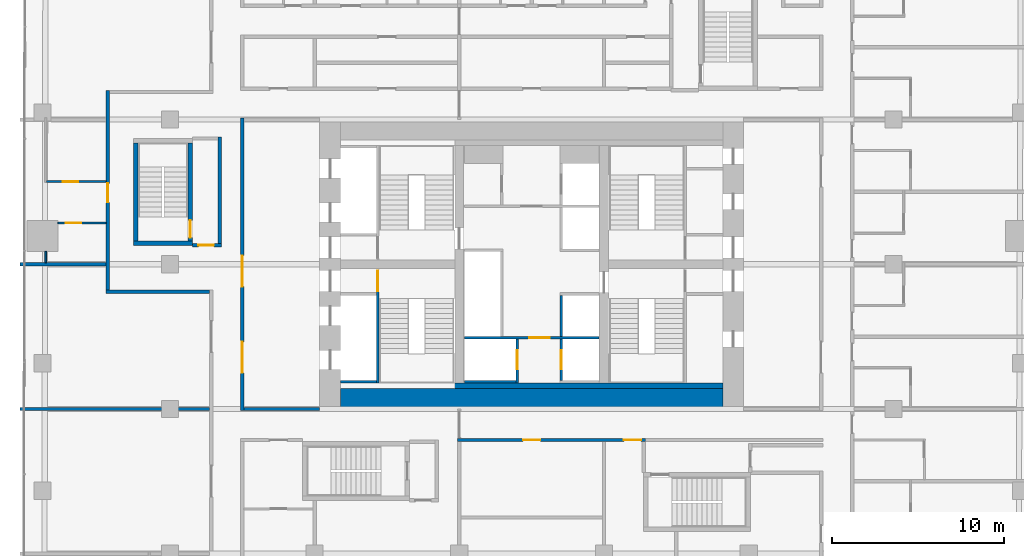
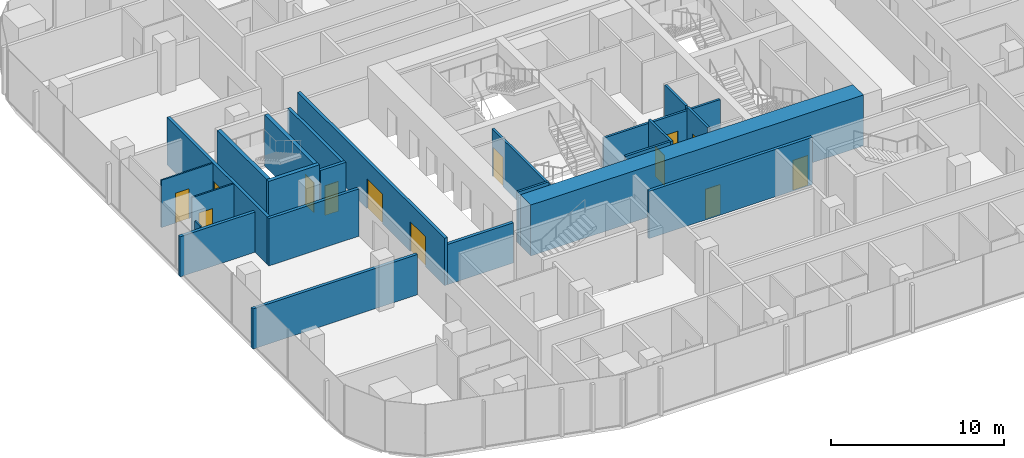
# One storey, part 17 of 26: 24 walls, 13 doors, 13 openings.
"""IFC4 building model written with IfcOpenShell, lengths in metres."""

from ifc_helpers import new_model, si_unit, direction, frame, frame_2d, origin, place, context, subcontext, project, spatial, rectangle, extrude, material, layer, layer_set, type_object, element, fill, save


model = new_model("IFC4")

# Units and contexts
model_context = context("Model", 3, precision=1e-05, world=origin(), true_north=direction((0.0, 1.0)))
body_context = subcontext(model_context, "Body", "Model", "MODEL_VIEW")
ifc_project = project(units=[si_unit("LENGTHUNIT", "METRE"), si_unit("AREAUNIT", "SQUARE_METRE"), si_unit("VOLUMEUNIT", "CUBIC_METRE"), si_unit("PLANEANGLEUNIT", "RADIAN"), si_unit("MASSUNIT", "GRAM", prefix="KILO")], contexts=[model_context])

# Site, building, storey
site_placement = place(None, origin())
site = spatial("IfcSite", under=ifc_project, at=site_placement, CompositionType="ELEMENT")
building_placement = place(site_placement, origin())
building = spatial("IfcBuilding", under=site, at=building_placement, Name="Marenta Gate Hotel Tower", CompositionType="ELEMENT")
storey_placement = place(building_placement, frame((0.0, 0.0, 79.699951171875)))
storey = spatial("IfcBuildingStorey", under=building, at=storey_placement, Name="L18", CompositionType="ELEMENT", Elevation=79.699951171875)

# Wall, openings, doors
ifc_material_1 = material(Name="Concrete blockwork", Category="masonry")
ifc_layer_1 = layer(ifc_material_1, 0.199951171875)
ifc_layer_set_1 = layer_set([ifc_layer_1], Name="Concrete blockwork")
wall_type_1 = type_object("IfcWallType", Name="Core boundary wall 200 REI 180", PredefinedType="PARTITIONING", material=ifc_layer_set_1)
wall_1_placement = place(storey_placement, frame((-16.800048828125, -0.10009765625, 0.0), z_axis=(0.0, 0.0, 1.0), x_axis=(0.0, 1.0, 0.0)))
wall_1 = element("IfcWall", 1, at=wall_1_placement, inside=storey, type_object=wall_type_1, Name="L18-CP-BW-W", PredefinedType="PARTITIONING", context=body_context, shape_type="SweptSolid", body=[
    extrude(rectangle(XDim=17.0, YDim=0.199951171875, at=frame_2d((8.5, 0.0))), origin(), (0.0, 0.0, 1.0), 3.340087890625),
])
opening_1_placement = place(wall_1_placement, frame((2.199951171875, 0.0, 0.0)))
opening_1 = element("IfcOpeningElement", 2, at=opening_1_placement, cuts=wall_1, Name="Opening ED-Wa-B", PredefinedType="OPENING", context=body_context, shape_type="SweptSolid", body=[
    extrude(rectangle(XDim=1.800048828125, YDim=2.10009765625, at=frame_2d((0.89990234375, 1.050048828125))), frame((0.0, 0.10009765625, 0.0), z_axis=(0.0, -1.0, 0.0), x_axis=(1.0, 0.0, 0.0)), (0.0, 0.0, 1.0), 0.199951171875),
])
opening_2_placement = place(wall_1_placement, frame((7.199951171875, 0.0, 0.0)))
opening_2 = element("IfcOpeningElement", 3, at=opening_2_placement, cuts=wall_1, Name="Opening ED-Wb-B", PredefinedType="OPENING", context=body_context, shape_type="SweptSolid", body=[
    extrude(rectangle(XDim=1.800048828125, YDim=2.10009765625, at=frame_2d((0.89990234375, 1.050048828125))), frame((0.0, 0.10009765625, 0.0), z_axis=(0.0, -1.0, 0.0), x_axis=(1.0, 0.0, 0.0)), (0.0, 0.0, 1.0), 0.199951171875),
])
ifc_material_2 = material(Name="Steel", Category="steel")
door_type_1 = type_object("IfcDoorType", Name="Core lobby entrance door 1800x2100 EI 60", OperationType="DOUBLE_DOOR_SINGLE_SWING", PredefinedType="DOOR", material=ifc_material_2)
door_1_placement = place(opening_1_placement, origin())
door_1 = element("IfcDoor", 4, at=door_1_placement, inside=storey, type_object=door_type_1, Name="ED-Wa-B", OperationType="DOUBLE_DOOR_SINGLE_SWING", OverallHeight=2.10009765625, OverallWidth=1.800048828125, PredefinedType="DOOR", context=body_context, shape_type="SweptSolid", body=[
    extrude(rectangle(XDim=1.800048828125, YDim=2.10009765625, at=frame_2d((0.89990234375, 1.050048828125))), frame((0.0, 0.02490234375, 0.0), z_axis=(0.0, -1.0, 0.0), x_axis=(1.0, 0.0, 0.0)), (0.0, 0.0, 1.0), 0.050048828125),
])
fill(opening_1, door_1)
door_2_placement = place(opening_2_placement, origin())
door_2 = element("IfcDoor", 5, at=door_2_placement, inside=storey, type_object=door_type_1, Name="ED-Wb-B", OperationType="DOUBLE_DOOR_SINGLE_SWING", OverallHeight=2.10009765625, OverallWidth=1.800048828125, PredefinedType="DOOR", context=body_context, shape_type="SweptSolid", body=[
    extrude(rectangle(XDim=1.800048828125, YDim=2.10009765625, at=frame_2d((0.89990234375, 1.050048828125))), frame((0.0, 0.02490234375, 0.0), z_axis=(0.0, -1.0, 0.0), x_axis=(1.0, 0.0, 0.0)), (0.0, 0.0, 1.0), 0.050048828125),
])
fill(opening_2, door_2)

# Walls
wall_2_placement = place(storey_placement, frame((-16.699951171875, 0.0, 0.0), z_axis=(0.0, 0.0, 1.0), x_axis=(1.0, 0.0, 0.0)))
element("IfcWall", 6, at=wall_2_placement, inside=storey, type_object=wall_type_1, Name="L18-CP-EW-WS", PredefinedType="PARTITIONING", context=body_context, shape_type="SweptSolid", body=[
    extrude(rectangle(XDim=4.39990234375, YDim=0.199951171875, at=frame_2d((2.199951171875, 0.0))), origin(), (0.0, 0.0, 1.0), 2.840087890625),
])
ifc_material_3 = material(Name="Concrete C40", Category="concrete")
ifc_layer_2 = layer(ifc_material_3, 0.300048828125)
ifc_layer_set_2 = layer_set([ifc_layer_2], Name="Concrete C40")
wall_type_2 = type_object("IfcWallType", Name="Core lining wall 300 REI 180", PredefinedType="PARTITIONING", material=ifc_layer_set_2)
wall_3_placement = place(storey_placement, frame((-11.10009765625, 1.35009765625, 0.0), z_axis=(0.0, 0.0, 1.0), x_axis=(1.0, 0.0, 0.0)))
element("IfcWall", 7, at=wall_3_placement, inside=storey, type_object=wall_type_2, Name="L18-CP-LN-S", PredefinedType="PARTITIONING", context=body_context, shape_type="SweptSolid", body=[
    extrude(rectangle(XDim=22.2001953125, YDim=0.300048828125, at=frame_2d((11.10009765625, 0.0))), origin(), (0.0, 0.0, 1.0), 3.340087890625),
])

# Wall, opening, door
ifc_material_4 = material(Name="Concrete blockwork", Category="masonry")
ifc_layer_3 = layer(ifc_material_4, 0.14990234375)
ifc_layer_set_3 = layer_set([ifc_layer_3], Name="Concrete blockwork")
wall_type_3 = type_object("IfcWallType", Name="Core lobby partition 150 REI 180", PredefinedType="PARTITIONING", material=ifc_layer_set_3)
wall_4_placement = place(storey_placement, frame((-3.89990234375, 4.125, 0.0), z_axis=(0.0, 0.0, 1.0), x_axis=(1.0, 0.0, 0.0)))
wall_4 = element("IfcWall", 8, at=wall_4_placement, inside=storey, type_object=wall_type_3, Name="L18-CP-CW-S", PredefinedType="PARTITIONING", context=body_context, shape_type="SweptSolid", body=[
    extrude(rectangle(XDim=7.7998046875, YDim=0.14990234375, at=frame_2d((3.89990234375, 0.0))), origin(), (0.0, 0.0, 1.0), 3.340087890625),
])
opening_3_placement = place(wall_4_placement, frame((3.75, 0.0, 0.0)))
opening_3 = element("IfcOpeningElement", 9, at=opening_3_placement, cuts=wall_4, Name="Opening FD-FFS", PredefinedType="OPENING", context=body_context, shape_type="SweptSolid", body=[
    extrude(rectangle(XDim=1.199951171875, YDim=2.10009765625, at=frame_2d((0.60009765625, 1.050048828125))), frame((0.0, 0.074951171875, 0.0), z_axis=(0.0, -1.0, 0.0), x_axis=(1.0, 0.0, 0.0)), (0.0, 0.0, 1.0), 0.14990234375),
])
ifc_material_5 = material(Name="Steel", Category="steel")
door_type_2 = type_object("IfcDoorType", Name="Core lobby door 1200x2100 FD60", OperationType="SINGLE_SWING_LEFT", PredefinedType="DOOR", material=ifc_material_5)
door_3_placement = place(opening_3_placement, origin())
door_3 = element("IfcDoor", 10, at=door_3_placement, inside=storey, type_object=door_type_2, Name="FD-FFS", OperationType="SINGLE_SWING_LEFT", OverallHeight=2.10009765625, OverallWidth=1.199951171875, PredefinedType="DOOR", context=body_context, shape_type="SweptSolid", body=[
    extrude(rectangle(XDim=1.199951171875, YDim=2.10009765625, at=frame_2d((0.60009765625, 1.050048828125))), frame((0.0, 0.02490234375, 0.0), z_axis=(0.0, -1.0, 0.0), x_axis=(1.0, 0.0, 0.0)), (0.0, 0.0, 1.0), 0.050048828125),
])
fill(opening_3, door_3)

# Wall
ifc_material_6 = material(Name="Concrete C40", Category="concrete")
ifc_layer_4 = layer(ifc_material_6, 0.14990234375)
ifc_layer_set_4 = layer_set([ifc_layer_4], Name="Concrete C40")
wall_type_4 = type_object("IfcWallType", Name="Core shaft wall 150 REI 180", PredefinedType="SHEAR", material=ifc_layer_set_4)
wall_5_placement = place(storey_placement, frame((-11.10009765625, 1.574951171875, 0.0), z_axis=(0.0, 0.0, 1.0), x_axis=(1.0, 0.0, 0.0)))
element("IfcWall", 11, at=wall_5_placement, inside=storey, type_object=wall_type_4, Name="L18-SHF-SW-WS-5", PredefinedType="SHEAR", context=body_context, shape_type="SweptSolid", body=[
    extrude(rectangle(XDim=2.10009765625, YDim=0.14990234375, at=frame_2d((1.050048828125, 0.0))), origin(), (0.0, 0.0, 1.0), 3.60009765625),
])

# Wall, opening, door
wall_6_placement = place(storey_placement, frame((-0.824951171875, 1.5, 0.0), z_axis=(0.0, 0.0, 1.0), x_axis=(0.0, 1.0, 0.0)))
wall_6 = element("IfcWall", 12, at=wall_6_placement, inside=storey, type_object=wall_type_4, Name="L18-SHF-CW-W-ff", PredefinedType="SHEAR", context=body_context, shape_type="SweptSolid", body=[
    extrude(rectangle(XDim=2.550048828125, YDim=0.14990234375, at=frame_2d((1.27490234375, 0.0))), origin(), (0.0, 0.0, 1.0), 3.60009765625),
])
opening_4_placement = place(wall_6_placement, frame((0.800048828125, 0.0, 0.0)))
opening_4 = element("IfcOpeningElement", 13, at=opening_4_placement, cuts=wall_6, Name="Opening LD-FF1", PredefinedType="OPENING", context=body_context, shape_type="SweptSolid", body=[
    extrude(rectangle(XDim=1.10009765625, YDim=2.10009765625, at=frame_2d((0.550048828125, 1.050048828125))), frame((0.0, 0.074951171875, 0.0), z_axis=(0.0, -1.0, 0.0), x_axis=(1.0, 0.0, 0.0)), (0.0, 0.0, 1.0), 0.14990234375),
])
ifc_material_7 = material(Name="Steel", Category="steel")
door_type_3 = type_object("IfcDoorType", Name="Core lift landing door 1100x2100 E 60", OperationType="SLIDING_TO_LEFT", PredefinedType="DOOR", material=ifc_material_7)
door_4_placement = place(opening_4_placement, origin())
door_4 = element("IfcDoor", 14, at=door_4_placement, inside=storey, type_object=door_type_3, Name="LD-FF1", OperationType="SLIDING_TO_LEFT", OverallHeight=2.10009765625, OverallWidth=1.10009765625, PredefinedType="DOOR", context=body_context, shape_type="SweptSolid", body=[
    extrude(rectangle(XDim=1.10009765625, YDim=2.10009765625, at=frame_2d((0.550048828125, 1.050048828125))), frame((0.0, 0.02490234375, 0.0), z_axis=(0.0, -1.0, 0.0), x_axis=(1.0, 0.0, 0.0)), (0.0, 0.0, 1.0), 0.050048828125),
])
fill(opening_4, door_4)

# Wall
wall_7_placement = place(storey_placement, frame((-3.89990234375, 1.574951171875, 0.0), z_axis=(0.0, 0.0, 1.0), x_axis=(1.0, 0.0, 0.0)))
element("IfcWall", 15, at=wall_7_placement, inside=storey, type_object=wall_type_4, Name="L18-SHF-CW-W-ffs", PredefinedType="SHEAR", context=body_context, shape_type="SweptSolid", body=[
    extrude(rectangle(XDim=3.0, YDim=0.14990234375, at=frame_2d((1.5, 0.0))), origin(), (0.0, 0.0, 1.0), 3.60009765625),
])

# Wall, opening, door
wall_8_placement = place(storey_placement, frame((1.72509765625, 1.64990234375, 0.0), z_axis=(0.0, 0.0, 1.0), x_axis=(0.0, 1.0, 0.0)))
wall_8 = element("IfcWall", 16, at=wall_8_placement, inside=storey, type_object=wall_type_4, Name="L18-SHF-CE-S-ls", PredefinedType="SHEAR", context=body_context, shape_type="SweptSolid", body=[
    extrude(rectangle(XDim=2.400146484375, YDim=0.14990234375, at=frame_2d((1.2001953125, 0.0))), origin(), (0.0, 0.0, 1.0), 3.60009765625),
])
opening_5_placement = place(wall_8_placement, frame((0.64990234375, 0.0, 0.0)))
opening_5 = element("IfcOpeningElement", 17, at=opening_5_placement, cuts=wall_8, Name="Opening LD-SV1", PredefinedType="OPENING", context=body_context, shape_type="SweptSolid", body=[
    extrude(rectangle(XDim=1.10009765625, YDim=2.10009765625, at=frame_2d((0.550048828125, 1.050048828125))), frame((0.0, 0.074951171875, 0.0), z_axis=(0.0, -1.0, 0.0), x_axis=(1.0, 0.0, 0.0)), (0.0, 0.0, 1.0), 0.14990234375),
])
door_5_placement = place(opening_5_placement, origin())
door_5 = element("IfcDoor", 18, at=door_5_placement, inside=storey, type_object=door_type_3, Name="LD-SV1", OperationType="SLIDING_TO_LEFT", OverallHeight=2.10009765625, OverallWidth=1.10009765625, PredefinedType="DOOR", context=body_context, shape_type="SweptSolid", body=[
    extrude(rectangle(XDim=1.10009765625, YDim=2.10009765625, at=frame_2d((0.550048828125, 1.050048828125))), frame((0.0, 0.02490234375, 0.0), z_axis=(0.0, -1.0, 0.0), x_axis=(1.0, 0.0, 0.0)), (0.0, 0.0, 1.0), 0.050048828125),
])
fill(opening_5, door_5)

# Wall
wall_9_placement = place(storey_placement, frame((1.72509765625, 4.199951171875, 0.0), z_axis=(0.0, 0.0, 1.0), x_axis=(0.0, 1.0, 0.0)))
element("IfcWall", 19, at=wall_9_placement, inside=storey, type_object=wall_type_4, Name="L18-SHF-CE-front-1", PredefinedType="SHEAR", context=body_context, shape_type="SweptSolid", body=[
    extrude(rectangle(XDim=2.400146484375, YDim=0.14990234375, at=frame_2d((1.2001953125, 0.0))), origin(), (0.0, 0.0, 1.0), 3.60009765625),
])

# Wall, opening, door
ifc_material_8 = material(Name="Concrete C40", Category="concrete")
ifc_layer_5 = layer(ifc_material_8, 0.14990234375)
ifc_layer_set_5 = layer_set([ifc_layer_5], Name="Concrete C40")
wall_type_5 = type_object("IfcWallType", Name="Core stair enclosure wall 150 REI 180", PredefinedType="SHEAR", material=ifc_layer_set_5)
wall_10_placement = place(storey_placement, frame((-8.925048828125, 1.5, 0.0), z_axis=(0.0, 0.0, 1.0), x_axis=(0.0, 1.0, 0.0)))
wall_10 = element("IfcWall", 20, at=wall_10_placement, inside=storey, type_object=wall_type_5, Name="L18-SHF-SW-WS-3", PredefinedType="SHEAR", context=body_context, shape_type="SweptSolid", body=[
    extrude(rectangle(XDim=6.60009765625, YDim=0.14990234375, at=frame_2d((3.300048828125, 0.0))), origin(), (0.0, 0.0, 1.0), 3.340087890625),
])
opening_6_placement = place(wall_10_placement, frame((5.324951171875, 0.0, 0.0)))
opening_6 = element("IfcOpeningElement", 21, at=opening_6_placement, cuts=wall_10, Name="Opening SD-WS", PredefinedType="OPENING", context=body_context, shape_type="SweptSolid", body=[
    extrude(rectangle(XDim=1.199951171875, YDim=2.10009765625, at=frame_2d((0.60009765625, 1.050048828125))), frame((0.0, 0.074951171875, 0.0), z_axis=(0.0, -1.0, 0.0), x_axis=(1.0, 0.0, 0.0)), (0.0, 0.0, 1.0), 0.14990234375),
])
ifc_material_9 = material(Name="Steel", Category="steel")
door_type_4 = type_object("IfcDoorType", Name="Core stair door 1200x2100 FD60", OperationType="SINGLE_SWING_LEFT", PredefinedType="DOOR", material=ifc_material_9)
door_6_placement = place(opening_6_placement, origin())
door_6 = element("IfcDoor", 22, at=door_6_placement, inside=storey, type_object=door_type_4, Name="SD-WS", OperationType="SINGLE_SWING_LEFT", OverallHeight=2.10009765625, OverallWidth=1.199951171875, PredefinedType="DOOR", context=body_context, shape_type="SweptSolid", body=[
    extrude(rectangle(XDim=1.199951171875, YDim=2.10009765625, at=frame_2d((0.60009765625, 1.050048828125))), frame((0.0, 0.02490234375, 0.0), z_axis=(0.0, -1.0, 0.0), x_axis=(1.0, 0.0, 0.0)), (0.0, 0.0, 1.0), 0.050048828125),
])
fill(opening_6, door_6)

# Walls
ifc_material_10 = material(Name="Concrete C80", Category="concrete")
ifc_layer_6 = layer(ifc_material_10, 1.199951171875)
ifc_layer_set_6 = layer_set([ifc_layer_6], Name="Concrete C80")
wall_type_6 = type_object("IfcWallType", Name="Core wall 1200 C80", PredefinedType="SHEAR", material=ifc_layer_set_6)
wall_11_placement = place(storey_placement, frame((-11.10009765625, 0.60009765625, 0.0), z_axis=(0.0, 0.0, 1.0), x_axis=(1.0, 0.0, 0.0)))
element("IfcWall", 23, at=wall_11_placement, inside=storey, type_object=wall_type_6, Name="L18-CORE-S", PredefinedType="SHEAR", context=body_context, shape_type="SweptSolid", body=[
    extrude(rectangle(XDim=22.2001953125, YDim=1.199951171875, at=frame_2d((11.10009765625, 0.0))), origin(), (0.0, 0.0, 1.0), 3.60009765625),
])
ifc_material_11 = material(Name="Concrete C40", Category="concrete")
ifc_layer_7 = layer(ifc_material_11, 0.25)
ifc_layer_set_7 = layer_set([ifc_layer_7], Name="Concrete C40")
wall_type_7 = type_object("IfcWallType", Name="Remote stair enclosure wall 250 REI 180", PredefinedType="SHEAR", material=ifc_layer_set_7)
wall_12_placement = place(storey_placement, frame((-23.10009765625, 9.625, 0.10009765625), z_axis=(0.0, 0.0, 1.0), x_axis=(1.0, 0.0, 0.0)))
element("IfcWall", 24, at=wall_12_placement, inside=storey, type_object=wall_type_7, Name="L18-RS-Z1-3-W1", PredefinedType="SHEAR", context=body_context, shape_type="SweptSolid", body=[
    extrude(rectangle(XDim=3.400146484375, YDim=0.25, at=frame_2d((1.7001953125, 0.0))), origin(), (0.0, 0.0, 1.0), 3.599853515625),
])
wall_13_placement = place(storey_placement, frame((-22.97509765625, 9.75, 0.10009765625), z_axis=(0.0, 0.0, 1.0), x_axis=(0.0, 1.0, 0.0)))
element("IfcWall", 25, at=wall_13_placement, inside=storey, type_object=wall_type_7, Name="L18-RS-Z1-3-W3", PredefinedType="SHEAR", context=body_context, shape_type="SweptSolid", body=[
    extrude(rectangle(XDim=5.699951171875, YDim=0.25, at=frame_2d((2.85009765625, 0.0))), origin(), (0.0, 0.0, 1.0), 3.599853515625),
])

# Wall, opening, door
wall_14_placement = place(storey_placement, frame((-19.824951171875, 9.75, 0.10009765625), z_axis=(0.0, 0.0, 1.0), x_axis=(0.0, 1.0, 0.0)))
wall_14 = element("IfcWall", 26, at=wall_14_placement, inside=storey, type_object=wall_type_7, Name="L18-RS-Z1-3-W4", PredefinedType="SHEAR", context=body_context, shape_type="SweptSolid", body=[
    extrude(rectangle(XDim=5.699951171875, YDim=0.25, at=frame_2d((2.85009765625, 0.0))), origin(), (0.0, 0.0, 1.0), 3.599853515625),
])
opening_7_placement = place(wall_14_placement, frame((0.199951171875, 0.0, 0.0)))
opening_7 = element("IfcOpeningElement", 27, at=opening_7_placement, cuts=wall_14, Name="Opening VD", PredefinedType="OPENING", context=body_context, shape_type="SweptSolid", body=[
    extrude(rectangle(XDim=1.0, YDim=2.10009765625, at=frame_2d((0.5, 1.050048828125))), frame((0.0, 0.125, 0.0), z_axis=(0.0, -1.0, 0.0), x_axis=(1.0, 0.0, 0.0)), (0.0, 0.0, 1.0), 0.25),
])
ifc_material_12 = material(Name="Steel", Category="steel")
door_type_5 = type_object("IfcDoorType", Name="Stair vestibule door 1000x2100 FD60", OperationType="SINGLE_SWING_LEFT", PredefinedType="DOOR", material=ifc_material_12)
door_7_placement = place(opening_7_placement, origin())
door_7 = element("IfcDoor", 28, at=door_7_placement, inside=storey, type_object=door_type_5, Name="VD", OperationType="SINGLE_SWING_LEFT", OverallHeight=2.10009765625, OverallWidth=1.0, PredefinedType="DOOR", context=body_context, shape_type="SweptSolid", body=[
    extrude(rectangle(XDim=1.0, YDim=2.10009765625, at=frame_2d((0.5, 1.050048828125))), frame((0.0, 0.02490234375, 0.0), z_axis=(0.0, -1.0, 0.0), x_axis=(1.0, 0.0, 0.0)), (0.0, 0.0, 1.0), 0.050048828125),
])
fill(opening_7, door_7)

# Wall, openings, doors
ifc_material_13 = material(Name="Gypsum board on steel stud", Category="steel")
ifc_layer_8 = layer(ifc_material_13, 0.199951171875)
ifc_layer_set_8 = layer_set([ifc_layer_8], Name="Gypsum board on steel stud")
wall_type_8 = type_object("IfcWallType", Name="Room corridor wall 200 EI 60", PredefinedType="PARTITIONING", material=ifc_layer_set_8)
wall_15_placement = place(storey_placement, frame((-4.300048828125, -1.800048828125, 0.0), z_axis=(0.0, 0.0, 1.0), x_axis=(1.0, 0.0, 0.0)))
wall_15 = element("IfcWall", 29, at=wall_15_placement, inside=storey, type_object=wall_type_8, Name="L18-PTN-W068", PredefinedType="PARTITIONING", context=body_context, shape_type="SweptSolid", body=[
    extrude(rectangle(XDim=10.900146484375, YDim=0.199951171875, at=frame_2d((5.4501953125, 0.0))), origin(), (0.0, 0.0, 1.0), 3.340087890625),
])
opening_8_placement = place(wall_15_placement, frame((9.64990234375, 0.0, 0.0)))
opening_8 = element("IfcOpeningElement", 30, at=opening_8_placement, cuts=wall_15, Name="Opening G07-06", PredefinedType="OPENING", context=body_context, shape_type="SweptSolid", body=[
    extrude(rectangle(XDim=1.0, YDim=2.10009765625, at=frame_2d((0.5, 1.050048828125))), frame((0.0, 0.10009765625, 0.0), z_axis=(0.0, -1.0, 0.0), x_axis=(1.0, 0.0, 0.0)), (0.0, 0.0, 1.0), 0.199951171875),
])
opening_9_placement = place(wall_15_placement, frame((3.800048828125, 0.0, 0.0)))
opening_9 = element("IfcOpeningElement", 31, at=opening_9_placement, cuts=wall_15, Name="Opening G07-71", PredefinedType="OPENING", context=body_context, shape_type="SweptSolid", body=[
    extrude(rectangle(XDim=1.0, YDim=2.10009765625, at=frame_2d((0.5, 1.050048828125))), frame((0.0, 0.10009765625, 0.0), z_axis=(0.0, -1.0, 0.0), x_axis=(1.0, 0.0, 0.0)), (0.0, 0.0, 1.0), 0.199951171875),
])
ifc_material_14 = material(Name="Timber door leaf", Category="wood")
door_type_6 = type_object("IfcDoorType", Name="Room amenity door 1000x2100 EI 30", OperationType="NOTDEFINED", PredefinedType="DOOR", material=ifc_material_14)
door_8_placement = place(opening_8_placement, origin())
door_8 = element("IfcDoor", 32, at=door_8_placement, inside=storey, type_object=door_type_6, Name="L18-PD-D006", OperationType="SINGLE_SWING_LEFT", OverallHeight=2.10009765625, OverallWidth=1.0, PredefinedType="DOOR", context=body_context, shape_type="SweptSolid", body=[
    extrude(rectangle(XDim=1.0, YDim=2.10009765625, at=frame_2d((0.5, 1.050048828125))), frame((0.0, 0.02490234375, 0.0), z_axis=(0.0, -1.0, 0.0), x_axis=(1.0, 0.0, 0.0)), (0.0, 0.0, 1.0), 0.050048828125),
])
fill(opening_8, door_8)
door_9_placement = place(opening_9_placement, origin())
door_9 = element("IfcDoor", 33, at=door_9_placement, inside=storey, type_object=door_type_6, Name="L18-PD-D071", OperationType="SINGLE_SWING_LEFT", OverallHeight=2.10009765625, OverallWidth=1.0, PredefinedType="DOOR", context=body_context, shape_type="SweptSolid", body=[
    extrude(rectangle(XDim=1.0, YDim=2.10009765625, at=frame_2d((0.5, 1.050048828125))), frame((0.0, 0.02490234375, 0.0), z_axis=(0.0, -1.0, 0.0), x_axis=(1.0, 0.0, 0.0)), (0.0, 0.0, 1.0), 0.050048828125),
])
fill(opening_9, door_9)

# Wall
wall_16_placement = place(storey_placement, frame((-24.699951171875, 6.800048828125, 0.0), z_axis=(0.0, 0.0, 1.0), x_axis=(1.0, 0.0, 0.0)))
element("IfcWall", 34, at=wall_16_placement, inside=storey, type_object=wall_type_8, Name="L18-PTN-W087", PredefinedType="PARTITIONING", context=body_context, shape_type="SweptSolid", body=[
    extrude(rectangle(XDim=6.0, YDim=0.199951171875, at=frame_2d((3.0, 0.0))), origin(), (0.0, 0.0, 1.0), 3.340087890625),
])

# Wall, opening, door
wall_17_placement = place(storey_placement, frame((-24.60009765625, 6.89990234375, 0.0), z_axis=(0.0, 0.0, 1.0), x_axis=(0.0, 1.0, 0.0)))
wall_17 = element("IfcWall", 35, at=wall_17_placement, inside=storey, type_object=wall_type_8, Name="L18-PTN-W133", PredefinedType="PARTITIONING", context=body_context, shape_type="SweptSolid", body=[
    extrude(rectangle(XDim=11.60009765625, YDim=0.199951171875, at=frame_2d((5.800048828125, 0.0))), origin(), (0.0, 0.0, 1.0), 3.340087890625),
])
opening_10_placement = place(wall_17_placement, frame((5.10009765625, 0.0, 0.0)))
opening_10 = element("IfcOpeningElement", 36, at=opening_10_placement, cuts=wall_17, Name="Opening G07-56", PredefinedType="OPENING", context=body_context, shape_type="SweptSolid", body=[
    extrude(rectangle(XDim=1.10009765625, YDim=2.10009765625, at=frame_2d((0.550048828125, 1.050048828125))), frame((0.0, 0.10009765625, 0.0), z_axis=(0.0, -1.0, 0.0), x_axis=(1.0, 0.0, 0.0)), (0.0, 0.0, 1.0), 0.199951171875),
])
ifc_material_15 = material(Name="Timber door leaf", Category="wood")
door_type_7 = type_object("IfcDoorType", Name="Guest room door 1100x2100 EI 30", OperationType="NOTDEFINED", PredefinedType="DOOR", material=ifc_material_15)
door_10_placement = place(opening_10_placement, origin())
door_10 = element("IfcDoor", 37, at=door_10_placement, inside=storey, type_object=door_type_7, Name="L18-PD-D056", OperationType="SINGLE_SWING_RIGHT", OverallHeight=2.10009765625, OverallWidth=1.10009765625, PredefinedType="DOOR", context=body_context, shape_type="SweptSolid", body=[
    extrude(rectangle(XDim=1.10009765625, YDim=2.10009765625, at=frame_2d((0.550048828125, 1.050048828125))), frame((0.0, 0.02490234375, 0.0), z_axis=(0.0, -1.0, 0.0), x_axis=(1.0, 0.0, 0.0)), (0.0, 0.0, 1.0), 0.050048828125),
])
fill(opening_10, door_10)

ifc_material_16 = material(Name="Concrete blockwork", Category="masonry")
ifc_layer_9 = layer(ifc_material_16, 0.199951171875)
ifc_layer_set_9 = layer_set([ifc_layer_9], Name="Concrete blockwork")
wall_type_9 = type_object("IfcWallType", Name="Room corridor wall 200 REI 180", PredefinedType="PARTITIONING", material=ifc_layer_set_9)
wall_18_placement = place(storey_placement, frame((-19.699951171875, 9.5, 0.0), z_axis=(0.0, 0.0, 1.0), x_axis=(1.0, 0.0, 0.0)))
wall_18 = element("IfcWall", 38, at=wall_18_placement, inside=storey, type_object=wall_type_9, Name="L18-PTN-W092", PredefinedType="PARTITIONING", context=body_context, shape_type="SweptSolid", body=[
    extrude(rectangle(XDim=1.699951171875, YDim=0.199951171875, at=frame_2d((0.85009765625, 0.0))), origin(), (0.0, 0.0, 1.0), 3.340087890625),
])
opening_11_placement = place(wall_18_placement, frame((0.35009765625, 0.0, 0.0)))
opening_11 = element("IfcOpeningElement", 39, at=opening_11_placement, cuts=wall_18, Name="Opening G07-66", PredefinedType="OPENING", context=body_context, shape_type="SweptSolid", body=[
    extrude(rectangle(XDim=0.89990234375, YDim=2.10009765625, at=frame_2d((0.449951171875, 1.050048828125))), frame((0.0, 0.10009765625, 0.0), z_axis=(0.0, -1.0, 0.0), x_axis=(1.0, 0.0, 0.0)), (0.0, 0.0, 1.0), 0.199951171875),
])
ifc_material_17 = material(Name="Hollow steel door set", Category="steel")
door_type_8 = type_object("IfcDoorType", Name="Stair vestibule door 900x2100 EI 60", OperationType="NOTDEFINED", PredefinedType="DOOR", material=ifc_material_17)
door_11_placement = place(opening_11_placement, origin())
door_11 = element("IfcDoor", 40, at=door_11_placement, inside=storey, type_object=door_type_8, Name="L18-PD-D066", OperationType="SINGLE_SWING_RIGHT", OverallHeight=2.10009765625, OverallWidth=0.89990234375, PredefinedType="DOOR", context=body_context, shape_type="SweptSolid", body=[
    extrude(rectangle(XDim=0.89990234375, YDim=2.10009765625, at=frame_2d((0.449951171875, 1.050048828125))), frame((0.0, 0.02490234375, 0.0), z_axis=(0.0, -1.0, 0.0), x_axis=(1.0, 0.0, 0.0)), (0.0, 0.0, 1.0), 0.050048828125),
])
fill(opening_11, door_11)

# Wall
wall_19_placement = place(storey_placement, frame((-18.10009765625, 9.60009765625, 0.0), z_axis=(0.0, 0.0, 1.0), x_axis=(0.0, 1.0, 0.0)))
element("IfcWall", 41, at=wall_19_placement, inside=storey, type_object=wall_type_9, Name="L18-PTN-W113", PredefinedType="PARTITIONING", context=body_context, shape_type="SweptSolid", body=[
    extrude(rectangle(XDim=6.199951171875, YDim=0.199951171875, at=frame_2d((3.10009765625, 0.0))), origin(), (0.0, 0.0, 1.0), 3.340087890625),
])

# Wall, opening, door
ifc_material_18 = material(Name="Gypsum board on steel stud", Category="steel")
ifc_layer_10 = layer(ifc_material_18, 0.10009765625)
ifc_layer_set_10 = layer_set([ifc_layer_10], Name="Gypsum board on steel stud")
wall_type_10 = type_object("IfcWallType", Name="Room partition 100", PredefinedType="PARTITIONING", material=ifc_layer_set_10)
wall_20_placement = place(storey_placement, frame((-27.5, 10.800048828125, 0.0), z_axis=(0.0, 0.0, 1.0), x_axis=(1.0, 0.0, 0.0)))
wall_20 = element("IfcWall", 42, at=wall_20_placement, inside=storey, type_object=wall_type_10, Name="L18-PTN-W094", PredefinedType="PARTITIONING", context=body_context, shape_type="SweptSolid", body=[
    extrude(rectangle(XDim=2.800048828125, YDim=0.10009765625, at=frame_2d((1.39990234375, 0.0))), origin(), (0.0, 0.0, 1.0), 3.340087890625),
])
opening_12_placement = place(wall_20_placement, frame((0.469970703125, 0.0, 0.0)))
opening_12 = element("IfcOpeningElement", 43, at=opening_12_placement, cuts=wall_20, Name="Opening G07-58", PredefinedType="OPENING", context=body_context, shape_type="SweptSolid", body=[
    extrude(rectangle(XDim=0.89990234375, YDim=2.10009765625, at=frame_2d((0.449951171875, 1.050048828125))), frame((0.0, 0.050048828125, 0.0), z_axis=(0.0, -1.0, 0.0), x_axis=(1.0, 0.0, 0.0)), (0.0, 0.0, 1.0), 0.10009765625),
])
ifc_material_19 = material(Name="Timber door leaf", Category="wood")
door_type_9 = type_object("IfcDoorType", Name="Room inner door 900x2100", OperationType="NOTDEFINED", PredefinedType="DOOR", material=ifc_material_19)
door_12_placement = place(opening_12_placement, origin())
door_12 = element("IfcDoor", 44, at=door_12_placement, inside=storey, type_object=door_type_9, Name="L18-PD-D058", OperationType="SINGLE_SWING_RIGHT", OverallHeight=2.10009765625, OverallWidth=0.89990234375, PredefinedType="DOOR", context=body_context, shape_type="SweptSolid", body=[
    extrude(rectangle(XDim=0.89990234375, YDim=2.10009765625, at=frame_2d((0.449951171875, 1.050048828125))), frame((0.0, 0.02490234375, 0.0), z_axis=(0.0, -1.0, 0.0), x_axis=(1.0, 0.0, 0.0)), (0.0, 0.0, 1.0), 0.050048828125),
])
fill(opening_12, door_12)

wall_21_placement = place(storey_placement, frame((-28.14990234375, 13.199951171875, 0.0), z_axis=(0.0, 0.0, 1.0), x_axis=(1.0, 0.0, 0.0)))
wall_21 = element("IfcWall", 45, at=wall_21_placement, inside=storey, type_object=wall_type_10, Name="L18-PTN-W101", PredefinedType="PARTITIONING", context=body_context, shape_type="SweptSolid", body=[
    extrude(rectangle(XDim=3.449951171875, YDim=0.10009765625, at=frame_2d((1.72509765625, 0.0))), origin(), (0.0, 0.0, 1.0), 3.340087890625),
])
opening_13_placement = place(wall_21_placement, frame((0.93994140625, 0.0, 0.0)))
opening_13 = element("IfcOpeningElement", 46, at=opening_13_placement, cuts=wall_21, Name="Opening G07-57", PredefinedType="OPENING", context=body_context, shape_type="SweptSolid", body=[
    extrude(rectangle(XDim=0.89990234375, YDim=2.10009765625, at=frame_2d((0.449951171875, 1.050048828125))), frame((0.0, 0.050048828125, 0.0), z_axis=(0.0, -1.0, 0.0), x_axis=(1.0, 0.0, 0.0)), (0.0, 0.0, 1.0), 0.10009765625),
])
ifc_material_20 = material(Name="Timber door leaf", Category="wood")
door_type_10 = type_object("IfcDoorType", Name="Guest bathroom door 900x2100", OperationType="NOTDEFINED", PredefinedType="DOOR", material=ifc_material_20)
door_13_placement = place(opening_13_placement, origin())
door_13 = element("IfcDoor", 47, at=door_13_placement, inside=storey, type_object=door_type_10, Name="L18-PD-D057", OperationType="SINGLE_SWING_LEFT", OverallHeight=2.10009765625, OverallWidth=0.89990234375, PredefinedType="DOOR", context=body_context, shape_type="SweptSolid", body=[
    extrude(rectangle(XDim=0.89990234375, YDim=2.10009765625, at=frame_2d((0.449951171875, 1.050048828125))), frame((0.0, 0.02490234375, 0.0), z_axis=(0.0, -1.0, 0.0), x_axis=(1.0, 0.0, 0.0)), (0.0, 0.0, 1.0), 0.050048828125),
])
fill(opening_13, door_13)

# Walls
wall_22_placement = place(storey_placement, frame((-28.199951171875, 8.5, 0.0), z_axis=(0.0, 0.0, 1.0), x_axis=(0.0, 1.0, 0.0)))
element("IfcWall", 48, at=wall_22_placement, inside=storey, type_object=wall_type_10, Name="L18-PTN-W144", PredefinedType="PARTITIONING", context=body_context, shape_type="SweptSolid", body=[
    extrude(rectangle(XDim=0.64990234375, YDim=0.10009765625, at=frame_2d((0.324951171875, 0.0))), origin(), (0.0, 0.0, 1.0), 2.93994140625),
])
ifc_material_21 = material(Name="Gypsum board on steel stud", Category="steel")
ifc_layer_11 = layer(ifc_material_21, 0.199951171875)
ifc_layer_set_11 = layer_set([ifc_layer_11], Name="Gypsum board on steel stud")
wall_type_11 = type_object("IfcWallType", Name="Room party wall 200 EI 60", PredefinedType="PARTITIONING", material=ifc_layer_set_11)
wall_23_placement = place(storey_placement, frame((-29.699951171875, 0.0, 0.0), z_axis=(0.0, 0.0, 1.0), x_axis=(1.0, 0.0, 0.0)))
element("IfcWall", 49, at=wall_23_placement, inside=storey, type_object=wall_type_11, Name="L18-PTN-W073", PredefinedType="PARTITIONING", context=body_context, shape_type="SweptSolid", body=[
    extrude(rectangle(XDim=11.0, YDim=0.199951171875, at=frame_2d((5.5, 0.0))), origin(), (0.0, 0.0, 1.0), 2.840087890625),
])
wall_24_placement = place(storey_placement, frame((-29.699951171875, 8.39990234375, 0.0), z_axis=(0.0, 0.0, 1.0), x_axis=(1.0, 0.0, 0.0)))
element("IfcWall", 50, at=wall_24_placement, inside=storey, type_object=wall_type_11, Name="L18-PTN-W089", PredefinedType="PARTITIONING", context=body_context, shape_type="SweptSolid", body=[
    extrude(rectangle(XDim=5.0, YDim=0.199951171875, at=frame_2d((2.5, 0.0))), origin(), (0.0, 0.0, 1.0), 2.840087890625),
])

save(model, "model.ifc")
